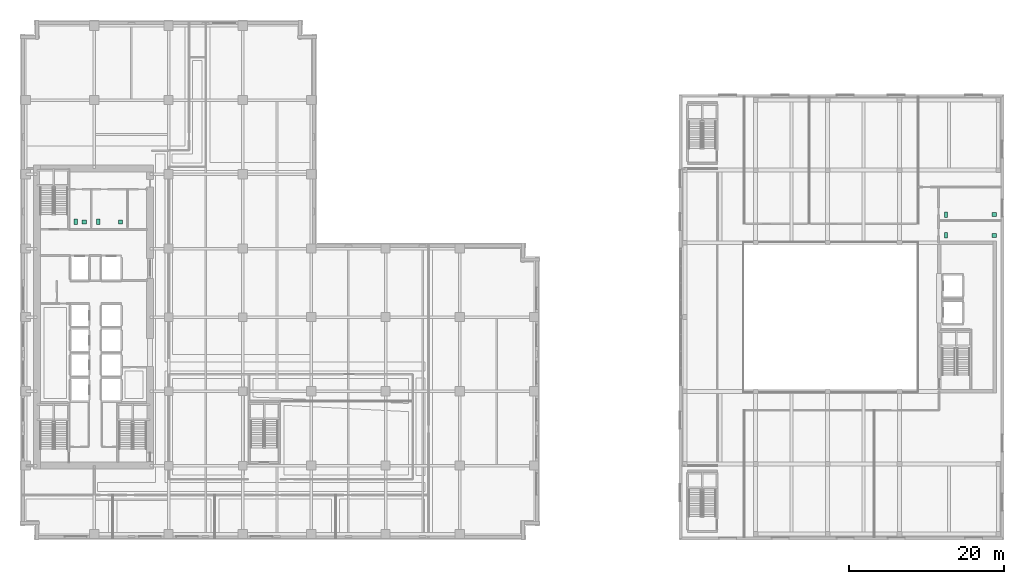
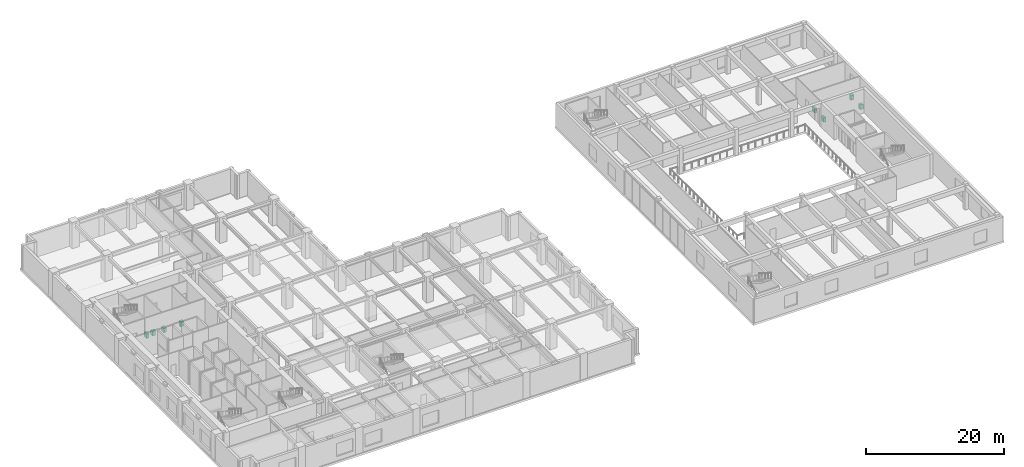
# One storey, part 24 of 24: 8 sanitary terminals.
"""IFC4 building model written with IfcOpenShell, lengths in metres."""

from ifc_helpers import new_model, si_unit, direction, frame, origin, origin_2d, place, context, subcontext, project, spatial, rectangle, extrude, material, type_object, element, save


model = new_model("IFC4")

# Units and contexts
model_context = context("Model", 3, precision=1e-05, world=origin(), true_north=direction((0.0, 1.0)))
body_context = subcontext(model_context, "Body", "Model", "MODEL_VIEW")
ifc_project = project(units=[si_unit("LENGTHUNIT", "METRE"), si_unit("AREAUNIT", "SQUARE_METRE"), si_unit("VOLUMEUNIT", "CUBIC_METRE"), si_unit("PLANEANGLEUNIT", "RADIAN"), si_unit("MASSUNIT", "GRAM", prefix="KILO")], contexts=[model_context])

# Site, building, storey
site_placement = place(None, origin())
site = spatial("IfcSite", under=ifc_project, at=site_placement, CompositionType="ELEMENT")
building_placement = place(site_placement, origin())
building = spatial("IfcBuilding", under=site, at=building_placement, Name="Norrvale University Quadrangle", CompositionType="ELEMENT")
storey_placement = place(building_placement, frame((0.0, 0.0, 10.39990234375)))
storey = spatial("IfcBuildingStorey", under=building, at=storey_placement, Name="L02", CompositionType="ELEMENT", Elevation=10.39990234375)

# Sanitary terminals
ifc_material = material(Name="Vitreous China Sanitaryware")
sanitary_terminal_type_1 = type_object("IfcSanitaryTerminalType", Name="Sanitary Wash Basin", PredefinedType="WASHHANDBASIN", material=ifc_material)
for number, where, z_axis, x_axis, name in (
    (1, (8.300048828125, 41.10009765625, 0.0), (0.0, 0.0, 1.0), (1.0, 0.0, 0.0), "Accessible Countertop Washbasin L02-1"),
    (2, (13.0, 41.10009765625, 0.0), (0.0, 0.0, 1.0), (1.0, 0.0, 0.0), "Accessible Countertop Washbasin L02-2"),
    (3, (125.949951171875, 39.35009765625, 0.0), (0.0, 0.0, 1.0), (1.0, 0.0, 0.0), "Accessible Countertop Washbasin L02-3"),
    (4, (125.949951171875, 42.050048828125, 0.0), (0.0, 0.0, 1.0), (1.0, 0.0, 0.0), "Accessible Countertop Washbasin L02-4"),
):
    element("IfcSanitaryTerminal", number, at=place(storey_placement, frame(where, z_axis=z_axis, x_axis=x_axis)), inside=storey, type_object=sanitary_terminal_type_1, Name=name, PredefinedType="WASHHANDBASIN", context=body_context, shape_type="SweptSolid", body=[
        extrude(rectangle(XDim=0.550048828125, YDim=0.47998046875, at=origin_2d()), origin(), (0.0, 0.0, 1.0), 0.85009765625),
    ])
sanitary_terminal_type_2 = type_object("IfcSanitaryTerminalType", Name="Sanitary Water Closet", PredefinedType="TOILETPAN", material=ifc_material)
for number, where, z_axis, x_axis, name in (
    (5, (7.199951171875, 41.10009765625, 0.0), (0.0, 0.0, 1.0), (1.0, 0.0, 0.0), "Wall-Hung Water Closet L02-1"),
    (6, (10.10009765625, 41.10009765625, 0.0), (0.0, 0.0, 1.0), (1.0, 0.0, 0.0), "Wall-Hung Water Closet L02-2"),
    (7, (119.699951171875, 39.35009765625, 0.0), (0.0, 0.0, 1.0), (1.0, 0.0, 0.0), "Wall-Hung Water Closet L02-3"),
    (8, (119.699951171875, 42.050048828125, 0.0), (0.0, 0.0, 1.0), (1.0, 0.0, 0.0), "Wall-Hung Water Closet L02-4"),
):
    element("IfcSanitaryTerminal", number, at=place(storey_placement, frame(where, z_axis=z_axis, x_axis=x_axis)), inside=storey, type_object=sanitary_terminal_type_2, Name=name, PredefinedType="TOILETPAN", context=body_context, shape_type="SweptSolid", body=[
        extrude(rectangle(XDim=0.419921875, YDim=0.699951171875, at=origin_2d()), origin(), (0.0, 0.0, 1.0), 0.780029296875),
    ])

save(model, "model.ifc")
